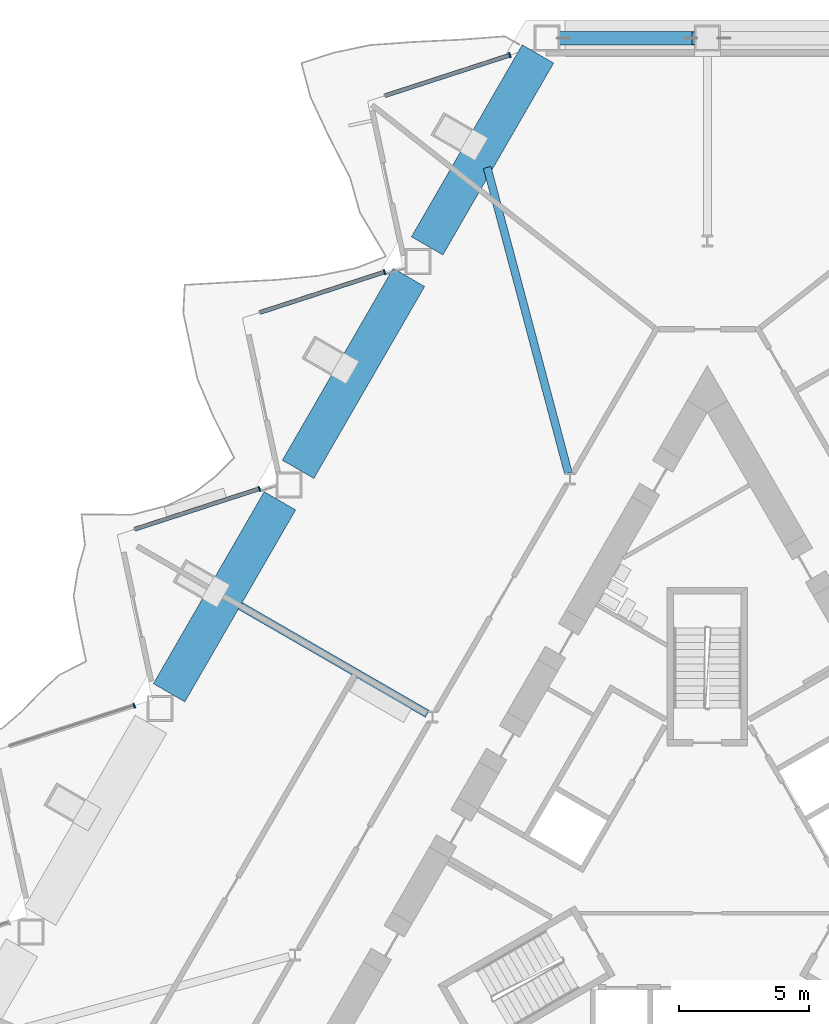
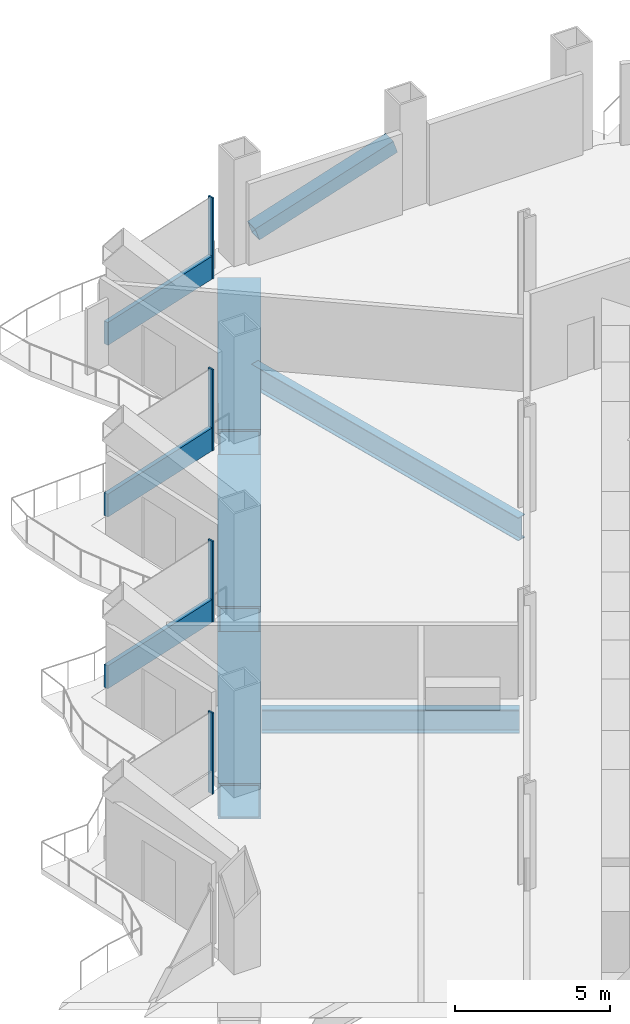
# One storey, part 6 of 22: 8 members, 5 beams, 4 elements without a shape of their own.
"""IFC4 building model written with IfcOpenShell, lengths in metres."""

from ifc_helpers import new_model, si_unit, direction, frame, origin, origin_2d, place, context, subcontext, project, spatial, rectangle, hollow_rectangle, i_section, extrude, material, layer, layer_set, material_profile, profile_set, type_object, element, aggregate, save


model = new_model("IFC4")

# Units and contexts
model_context = context("Model", 3, precision=1e-05, world=origin(), true_north=direction((0.0, 1.0)))
body_context = subcontext(model_context, "Body", "Model", "MODEL_VIEW")
ifc_project = project(units=[si_unit("LENGTHUNIT", "METRE"), si_unit("AREAUNIT", "SQUARE_METRE"), si_unit("VOLUMEUNIT", "CUBIC_METRE"), si_unit("PLANEANGLEUNIT", "RADIAN"), si_unit("MASSUNIT", "GRAM", prefix="KILO")], contexts=[model_context])

# Site, building, storey
site_placement = place(None, origin())
site = spatial("IfcSite", under=ifc_project, at=site_placement, CompositionType="ELEMENT")
building_placement = place(site_placement, origin())
building = spatial("IfcBuilding", under=site, at=building_placement, Name="Cormorant Prow Tower", CompositionType="ELEMENT")
storey_placement = place(building_placement, frame((0.0, 0.0, 30.0)))
storey = spatial("IfcBuildingStorey", under=building, at=storey_placement, Name="L05", CompositionType="ELEMENT", Elevation=30.0)

# Member
ifc_material_1 = material(Name="Structural steel ASTM A500 Gr C", Category="steel")
ifc_material_profile_1 = material_profile(ifc_material_1, hollow_rectangle(XDim=0.508056640625, YDim=0.508056640625, WallThickness=0.014892578125, at=origin_2d()), Name="HSS20x20x5/8")
ifc_profile_set_1 = profile_set([ifc_material_profile_1], Name="Structural steel ASTM A500 Gr C")
member_type_1 = type_object("IfcMemberType", Name="Chamfer brace HSS20x20x5/8", PredefinedType="BRACE", material=ifc_profile_set_1)
member_1_placement = place(storey_placement, frame((-5.65087890625, 32.233642578125, 0.767333984375), z_axis=(0.951774314198, 0.0, 0.306799046335), x_axis=(0.0, 1.0, 0.0)))
element("IfcMember", 1, at=member_1_placement, inside=storey, type_object=member_type_1, Name="Chamfer brace BR1 at N01 L05", PredefinedType="BRACE", context=body_context, shape_type="SweptSolid", body=[
    extrude(hollow_rectangle(XDim=0.508056640625, YDim=0.508056640625, WallThickness=0.014892578125, at=origin_2d()), origin(), (0.0, 0.0, 1.0), 5.39208984375),
])

# Curtain wall, member
ifc_material_2 = material(Name="Aluminium 6063-T6", Category="aluminium")
ifc_layer = layer(ifc_material_2, 0.199951171875)
ifc_layer_set = layer_set([ifc_layer], Name="Aluminium 6063-T6")
curtain_wall_type = type_object("IfcCurtainWallType", Name="Office unitised curtain wall 200", PredefinedType="NOTDEFINED", material=ifc_layer_set)
curtain_wall_1_placement = place(storey_placement, origin())
curtain_wall_1 = element("IfcCurtainWall", 2, at=curtain_wall_1_placement, inside=storey, type_object=curtain_wall_type, Name="Office curtain wall WNW00", PredefinedType="NOTDEFINED")
ifc_material_3 = material(Name="Aluminium 6063-T6", Category="aluminium")
ifc_material_profile_2 = material_profile(ifc_material_3, rectangle(XDim=0.199951171875, YDim=0.06005859375, at=origin_2d()), Name="Office mullion 60x200")
ifc_profile_set_2 = profile_set([ifc_material_profile_2], Name="Aluminium 6063-T6")
member_type_2 = type_object("IfcMemberType", Name="Office mullion 60x200", PredefinedType="MULLION", material=ifc_profile_set_2)
member_2_placement = place(storey_placement, frame((-7.609375, 31.578369140625, 0.0), z_axis=(0.0, 0.0, 1.0), x_axis=(0.30901688663, -0.951056551303, 0.0)))
member_2 = element("IfcMember", 3, at=member_2_placement, type_object=member_type_2, Name="Office mullion WNW00", PredefinedType="MULLION", context=body_context, shape_type="SweptSolid", body=[
    extrude(rectangle(XDim=0.199951171875, YDim=0.06005859375, at=origin_2d()), origin(), (0.0, 0.0, 1.0), 3.18896484375),
])

curtain_wall_2_placement = place(storey_placement, origin())
curtain_wall_2 = element("IfcCurtainWall", 4, at=curtain_wall_2_placement, inside=storey, type_object=curtain_wall_type, Name="Office curtain wall WNW02", PredefinedType="NOTDEFINED")
member_3_placement = place(storey_placement, frame((-12.427001953125, 23.234130859375, 0.0), z_axis=(0.0, 0.0, 1.0), x_axis=(0.309017026162, -0.951056505967, 0.0)))
member_3 = element("IfcMember", 5, at=member_3_placement, type_object=member_type_2, Name="Office mullion WNW02", PredefinedType="MULLION", context=body_context, shape_type="SweptSolid", body=[
    extrude(rectangle(XDim=0.199951171875, YDim=0.06005859375, at=origin_2d()), origin(), (0.0, 0.0, 1.0), 3.18896484375),
])

curtain_wall_3_placement = place(storey_placement, origin())
curtain_wall_3 = element("IfcCurtainWall", 6, at=curtain_wall_3_placement, inside=storey, type_object=curtain_wall_type, Name="Office curtain wall WNW04", PredefinedType="NOTDEFINED")
member_4_placement = place(storey_placement, frame((-17.244384765625, 14.889892578125, 0.0), z_axis=(0.0, 0.0, 1.0), x_axis=(0.309017026162, -0.951056505967, 0.0)))
member_4 = element("IfcMember", 7, at=member_4_placement, type_object=member_type_2, Name="Office mullion WNW04", PredefinedType="MULLION", context=body_context, shape_type="SweptSolid", body=[
    extrude(rectangle(XDim=0.199951171875, YDim=0.06005859375, at=origin_2d()), origin(), (0.0, 0.0, 1.0), 3.18896484375),
])

curtain_wall_4_placement = place(storey_placement, origin())
curtain_wall_4 = element("IfcCurtainWall", 8, at=curtain_wall_4_placement, inside=storey, type_object=curtain_wall_type, Name="Office curtain wall WNW06", PredefinedType="NOTDEFINED")
member_5_placement = place(storey_placement, frame((-22.06201171875, 6.545654296875, 0.0), z_axis=(0.0, 0.0, 1.0), x_axis=(0.309016931979, -0.951056536569, 0.0)))
member_5 = element("IfcMember", 9, at=member_5_placement, type_object=member_type_2, Name="Office mullion WNW06", PredefinedType="MULLION", context=body_context, shape_type="SweptSolid", body=[
    extrude(rectangle(XDim=0.199951171875, YDim=0.06005859375, at=origin_2d()), origin(), (0.0, 0.0, 1.0), 3.18896484375),
])
aggregate(curtain_wall_4, [member_5])

# Member
ifc_material_4 = material(Name="Terracotta", Category="masonry")
ifc_material_profile_3 = material_profile(ifc_material_4, rectangle(XDim=0.159912109375, YDim=0.89990234375, at=origin_2d()), Name="Office terracotta spandrel rail 160x900")
ifc_profile_set_3 = profile_set([ifc_material_profile_3], Name="Terracotta")
member_type_3 = type_object("IfcMemberType", Name="Office terracotta spandrel rail 160x900", PredefinedType="USERDEFINED", material=ifc_profile_set_3)
member_6_placement = place(storey_placement, frame((-7.637939453125, 31.569091796875, 0.449951171875), z_axis=(-0.951064821809, -0.308991431464, 0.0), x_axis=(0.308991431464, -0.951064821809, 0.0)))
member_6 = element("IfcMember", 10, at=member_6_placement, type_object=member_type_3, Name="Office spandrel rail WNW00", ObjectType="TRANSOM", PredefinedType="USERDEFINED", context=body_context, shape_type="SweptSolid", body=[
    extrude(rectangle(XDim=0.159912109375, YDim=0.89990234375, at=origin_2d()), origin(), (0.0, 0.0, 1.0), 5.016357421875),
])

aggregate(curtain_wall_1, [member_2, member_6])

member_7_placement = place(storey_placement, frame((-12.455322265625, 23.224853515625, 0.449951171875), z_axis=(-0.951055166493, -0.309021148607, 0.0), x_axis=(0.309021148607, -0.951055166493, 0.0)))
member_7 = element("IfcMember", 11, at=member_7_placement, type_object=member_type_3, Name="Office spandrel rail WNW02", ObjectType="TRANSOM", PredefinedType="USERDEFINED", context=body_context, shape_type="SweptSolid", body=[
    extrude(rectangle(XDim=0.159912109375, YDim=0.89990234375, at=origin_2d()), origin(), (0.0, 0.0, 1.0), 5.016845703125),
])

aggregate(curtain_wall_2, [member_3, member_7])

member_8_placement = place(storey_placement, frame((-17.27294921875, 14.880615234375, 0.449951171875), z_axis=(-0.951055166493, -0.309021148607, 0.0), x_axis=(0.309021148607, -0.951055166493, 0.0)))
member_8 = element("IfcMember", 12, at=member_8_placement, type_object=member_type_3, Name="Office spandrel rail WNW04", ObjectType="TRANSOM", PredefinedType="USERDEFINED", context=body_context, shape_type="SweptSolid", body=[
    extrude(rectangle(XDim=0.159912109375, YDim=0.89990234375, at=origin_2d()), origin(), (0.0, 0.0, 1.0), 5.016845703125),
])

aggregate(curtain_wall_3, [member_4, member_8])

# Beams
ifc_material_5 = material(Name="Structural steel ASTM A992 Gr 50", Category="steel")
ifc_material_profile_4 = material_profile(ifc_material_5, i_section(OverallWidth=0.3046875, OverallDepth=0.914794921875, WebThickness=0.0166015625, FlangeThickness=0.02587890625, at=origin_2d()), Name="W36x160")
ifc_profile_set_4 = profile_set([ifc_material_profile_4], Name="Structural steel ASTM A992 Gr 50")
beam_type_1 = type_object("IfcBeamType", Name="Radial floor beam W36x160", PredefinedType="BEAM", material=ifc_profile_set_4)
beam_1_placement = place(storey_placement, frame((-5.348876953125, 15.4931640625, -0.857421875), z_axis=(-0.256678696136, 0.966496790967, 0.0), x_axis=(-0.966496790967, -0.256678696136, 0.0)))
element("IfcBeam", 13, at=beam_1_placement, inside=storey, type_object=beam_type_1, Name="Radial floor beam FB1 2 L05", PredefinedType="BEAM", context=body_context, shape_type="SweptSolid", body=[
    extrude(i_section(OverallWidth=0.3046875, OverallDepth=0.914794921875, WebThickness=0.0166015625, FlangeThickness=0.02587890625, at=origin_2d()), origin(), (0.0, 0.0, 1.0), 12.1708984375),
])
beam_2_placement = place(storey_placement, frame((-10.779541015625, 6.2236328125, -0.857421875), z_axis=(-0.866029567316, 0.499992788483, 0.0), x_axis=(-0.499992788483, -0.866029567316, 0.0)))
element("IfcBeam", 14, at=beam_2_placement, inside=storey, type_object=beam_type_1, Name="Radial floor beam FB1 3 L05", PredefinedType="BEAM", context=body_context, shape_type="SweptSolid", body=[
    extrude(i_section(OverallWidth=0.3046875, OverallDepth=0.914794921875, WebThickness=0.0166015625, FlangeThickness=0.02587890625, at=origin_2d()), origin(), (0.0, 0.0, 1.0), 8.3125),
])
ifc_material_6 = material(Name="Structural steel ASTM A572 Gr 50", Category="steel")
ifc_material_profile_5 = material_profile(ifc_material_6, hollow_rectangle(XDim=1.39990234375, YDim=1.39990234375, WallThickness=0.080078125, at=origin_2d()), Name="Box 1400x1400x80")
ifc_profile_set_5 = profile_set([ifc_material_profile_5], Name="Structural steel ASTM A572 Gr 50")
beam_type_2 = type_object("IfcBeamType", Name="Transfer girder 1400x1400x80", PredefinedType="BEAM", material=ifc_profile_set_5)
beam_3_placement = place(storey_placement, frame((-6.519775390625, 31.62744140625, -1.10009765625), z_axis=(-0.49997675259, -0.866038825267, 0.0), x_axis=(0.866038825267, -0.49997675259, 0.0)))
element("IfcBeam", 15, at=beam_3_placement, inside=storey, type_object=beam_type_2, Name="Transfer girder TG1 WNW00-WNW02 L05", PredefinedType="BEAM", context=body_context, shape_type="SweptSolid", body=[
    extrude(hollow_rectangle(XDim=1.39990234375, YDim=1.39990234375, WallThickness=0.080078125, at=origin_2d()), origin(), (0.0, 0.0, 1.0), 8.5322265625),
])
beam_4_placement = place(storey_placement, frame((-11.48583984375, 23.02587890625, -1.10009765625), z_axis=(-0.499989142795, -0.866031672104, 0.0), x_axis=(0.866031672104, -0.499989142795, 0.0)))
element("IfcBeam", 16, at=beam_4_placement, inside=storey, type_object=beam_type_2, Name="Transfer girder TG1 WNW02-WNW04 L05", PredefinedType="BEAM", context=body_context, shape_type="SweptSolid", body=[
    extrude(hollow_rectangle(XDim=1.39990234375, YDim=1.39990234375, WallThickness=0.080078125, at=origin_2d()), origin(), (0.0, 0.0, 1.0), 8.531982421875),
])
beam_5_placement = place(storey_placement, frame((-16.451904296875, 14.424560546875, -1.10009765625), z_axis=(-0.49997675259, -0.866038825267, 0.0), x_axis=(0.866038825267, -0.49997675259, 0.0)))
element("IfcBeam", 17, at=beam_5_placement, inside=storey, type_object=beam_type_2, Name="Transfer girder TG1 WNW04-WNW06 L05", PredefinedType="BEAM", context=body_context, shape_type="SweptSolid", body=[
    extrude(hollow_rectangle(XDim=1.39990234375, YDim=1.39990234375, WallThickness=0.080078125, at=origin_2d()), origin(), (0.0, 0.0, 1.0), 8.5322265625),
])

save(model, "model.ifc")
